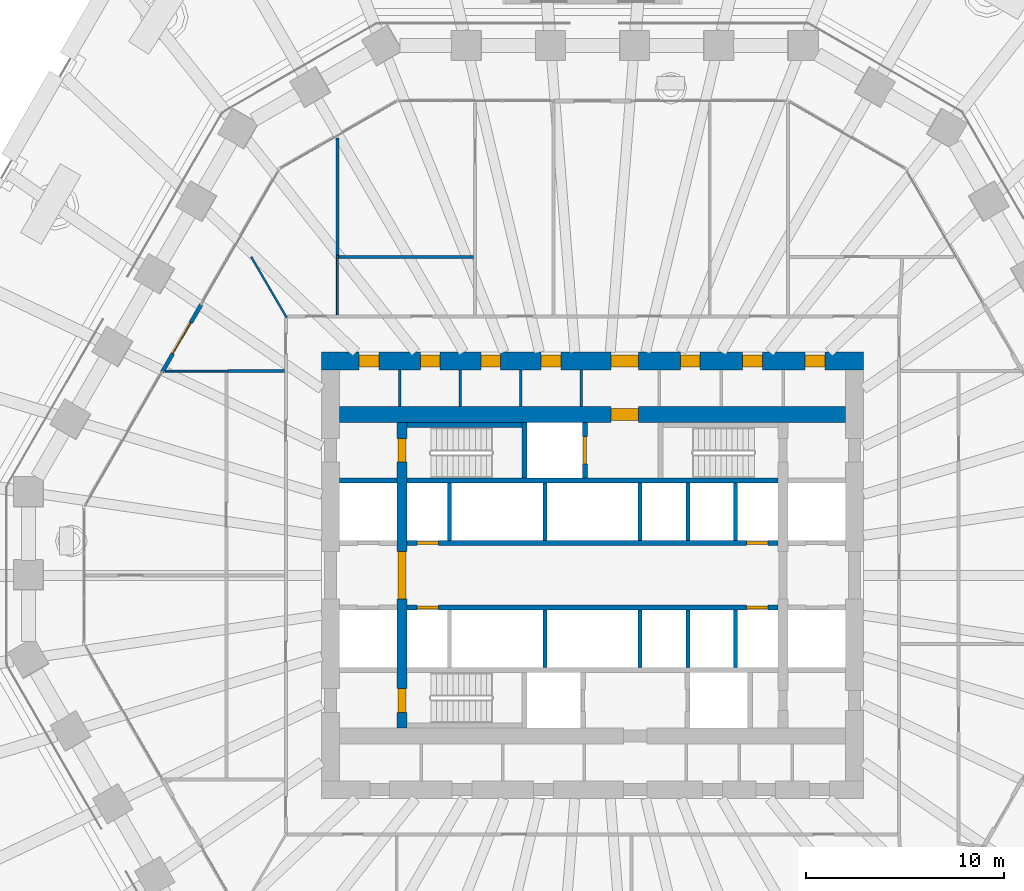
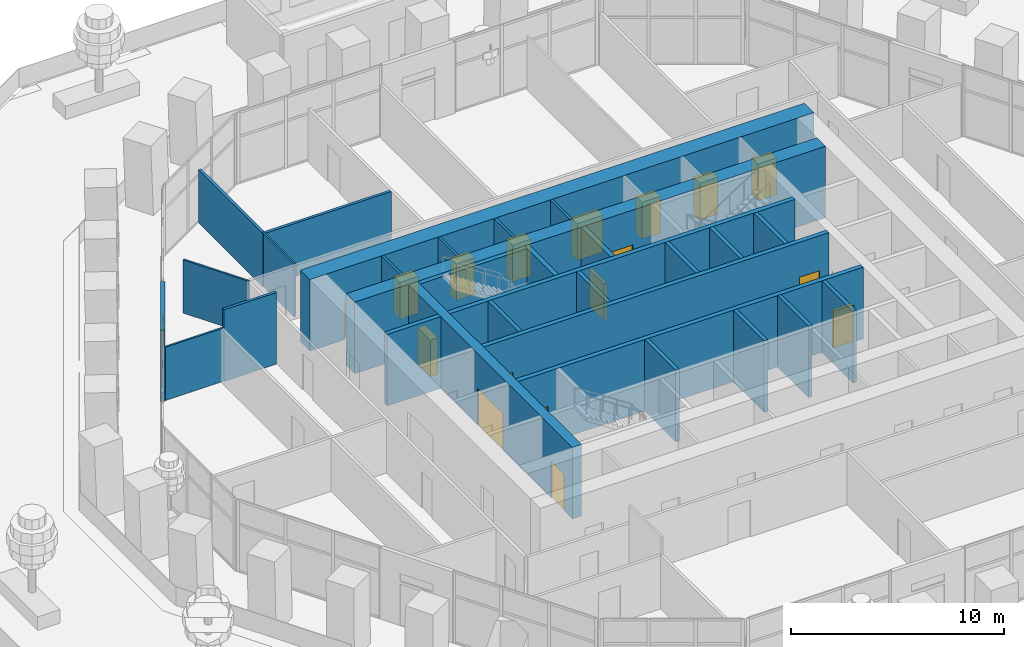
# One storey, part 24 of 32: 30 walls, 18 doors, 1 window, 19 openings.
"""IFC4 building model written with IfcOpenShell, lengths in metres."""

import ifcopenshell
import ifcopenshell.guid

model = None  # the IFC model being written
_history = None  # IfcOwnerHistory: only IFC2X3 demands one
_inside = {}  # id of a spatial element -> (the spatial element, [elements in it])
_under = {}  # id of a project, library or spatial element -> (it, [spatial elements below it])
_declared = {}  # id of a project -> (the project, [libraries it declares])
_typed = {}  # id of a type object -> (the type object, [elements of that type])
_made_of = {}  # id of a material, layer set ... -> (it, [elements and type objects made of it])


def new_model(schema):
    """Start an empty IFC model of exactly this schema.

    Asked for "IFC4X3", IfcOpenShell would pick the latest addendum, in which some entities
    have other attributes; the version numbers below select the first issue.
    IFC2X3 requires an IfcOwnerHistory on every rooted entity: one is made here for all.
    """
    global model, _history
    if schema == "IFC4X3":
        model = ifcopenshell.file(schema_version=(4, 3, 0, 0))
    else:
        model = ifcopenshell.file(schema=schema)
    _inside.clear()
    _under.clear()
    _declared.clear()
    _typed.clear()
    _made_of.clear()
    _history = None
    if model.schema == "IFC2X3":
        org = make("IfcOrganization", Name="unknown")
        user = make(
            "IfcPersonAndOrganization",
            ThePerson=make("IfcPerson", FamilyName="unknown"),
            TheOrganization=org,
        )
        app = make(
            "IfcApplication",
            ApplicationDeveloper=org,
            Version="unknown",
            ApplicationFullName="unknown",
            ApplicationIdentifier="unknown",
        )
        _history = make(
            "IfcOwnerHistory",
            OwningUser=user,
            OwningApplication=app,
            ChangeAction="ADDED",
            CreationDate=0,
        )
    return model


def make(cls, **values):
    """One entity of the class cls with the attributes given. An attribute that is None is left unset."""
    return model.create_entity(
        cls, **{name: value for name, value in values.items() if value is not None}
    )


def rooted(cls, **values):
    """An entity with a GlobalId (a new one), such as an element, a storey or a relation."""
    return make(cls, GlobalId=ifcopenshell.guid.new(), OwnerHistory=_history, **values)


def si_unit(unit_type, name, prefix=None):
    """IfcSIUnit, for example si_unit("LENGTHUNIT", "METRE", prefix="MILLI")."""
    return make("IfcSIUnit", UnitType=unit_type, Prefix=prefix, Name=name)


def assignment(units):
    """IfcUnitAssignment: the units of a project."""
    return None if units is None else make("IfcUnitAssignment", Units=units)


def point(xyz):
    """IfcCartesianPoint."""
    return None if xyz is None else make("IfcCartesianPoint", Coordinates=xyz)


def direction(xyz):
    """IfcDirection."""
    return None if xyz is None else make("IfcDirection", DirectionRatios=xyz)


def frame(location, z_axis=None, x_axis=None):
    """IfcAxis2Placement3D, a coordinate frame: its origin and axes. An axis left out is left unset."""
    return make(
        "IfcAxis2Placement3D",
        Location=point(location),
        Axis=direction(z_axis),
        RefDirection=direction(x_axis),
    )


def frame_2d(location, x_axis=None):
    """IfcAxis2Placement2D, a coordinate frame in the plane: its origin and x axis."""
    return make(
        "IfcAxis2Placement2D", Location=point(location), RefDirection=direction(x_axis)
    )


def origin():
    """The frame at (0, 0, 0) with its axes left unset."""
    return frame((0.0, 0.0, 0.0))


def place(relative_to, where):
    """IfcLocalPlacement: puts the frame where relative to a parent placement (None: the world)."""
    return make(
        "IfcLocalPlacement", PlacementRelTo=relative_to, RelativePlacement=where
    )


def context(
    kind, dimensions, precision=None, world=None, true_north=None, identifier=None
):
    """IfcGeometricRepresentationContext, for example the 3D "Model" context."""
    return make(
        "IfcGeometricRepresentationContext",
        ContextIdentifier=identifier,
        ContextType=kind,
        CoordinateSpaceDimension=dimensions,
        Precision=precision,
        WorldCoordinateSystem=world,
        TrueNorth=true_north,
    )


def subcontext(parent, identifier, kind, view, scale=None):
    """IfcGeometricRepresentationSubContext, for example "Body" below "Model"."""
    return make(
        "IfcGeometricRepresentationSubContext",
        ContextIdentifier=identifier,
        ContextType=kind,
        ParentContext=parent,
        TargetScale=scale,
        TargetView=view,
    )


def project(units=None, contexts=None):
    """IfcProject with its units and contexts."""
    return rooted(
        "IfcProject",
        Name="project",
        RepresentationContexts=contexts,
        UnitsInContext=assignment(units),
    )


def spatial(cls, under=None, at=None, **own):
    """A site, building, storey or space (cls), placed at a placement, below another one or the project."""
    s = rooted(cls, ObjectPlacement=at, **own)
    if under is not None:
        _under.setdefault(under.id(), (under, []))[1].append(s)
    return s


def profile(cls, at=None, kind="AREA", **sizes):
    """A parametric profile (cls). Its sizes go by their IFC names, for example OverallWidth=200.0."""
    return make(cls, ProfileType=kind, Position=at, **sizes)


def rectangle(**sizes):
    """IfcRectangleProfileDef."""
    return profile("IfcRectangleProfileDef", **sizes)


def extrude(swept, where, along, depth):
    """IfcExtrudedAreaSolid: the profile swept, set in the frame where, extruded along a direction by depth."""
    return make(
        "IfcExtrudedAreaSolid",
        SweptArea=swept,
        Position=where,
        ExtrudedDirection=direction(along),
        Depth=depth,
    )


def shape(context_of_items, identifier, shape_type, items):
    """IfcShapeRepresentation: the items that make up one representation, for example the "Body"."""
    return make(
        "IfcShapeRepresentation",
        ContextOfItems=context_of_items,
        RepresentationIdentifier=identifier,
        RepresentationType=shape_type,
        Items=items,
    )


def material(Name=None, Category=None):
    """IfcMaterial."""
    return make("IfcMaterial", Name=Name, Category=Category)


def layer(
    of_material, thickness, ventilated=None, Name=None, Category=None, Priority=None
):
    """IfcMaterialLayer: one layer of a wall or slab, of a material (None: an air gap)."""
    return make(
        "IfcMaterialLayer",
        Material=of_material,
        LayerThickness=thickness,
        IsVentilated=ventilated,
        Name=Name,
        Category=Category,
        Priority=Priority,
    )


def layer_set(layers, Name=None):
    """IfcMaterialLayerSet."""
    return make("IfcMaterialLayerSet", MaterialLayers=layers, LayerSetName=Name)


def made_of(thing, what):
    """Note that an element or type object is made of a material, layer set ...; save() writes the relation."""
    if what is not None:
        _made_of.setdefault(what.id(), (what, []))[1].append(thing)
    return thing


def type_object(cls, material=None, **own):
    """A type object (cls), such as IfcWallType, which elements share."""
    return made_of(rooted(cls, **own), material)


def element(
    cls,
    number,
    at=None,
    inside=None,
    cuts=None,
    type_object=None,
    material=None,
    context=None,
    identifier="Body",
    shape_type=None,
    held_by="IfcProductDefinitionShape",
    body=None,
    shapes=None,
    **own,
):
    """One element of the class cls, such as IfcWall. Its Tag is "e" and its number.

    at: its placement. inside: the storey or other place that contains it. cuts: it is an
    opening in that element (IfcRelVoidsElement). A single representation is given by context,
    identifier, shape_type and body (its items); several are given by shapes. held_by: the class
    of the entity that holds the representations. save() writes the other relations.
    """
    e = rooted(cls, Tag="e%d" % number, ObjectPlacement=at, **own)
    if body is not None:
        shapes = [shape(context, identifier, shape_type, body)]
    if shapes is not None:
        e.Representation = make(held_by, Representations=shapes)
    if inside is not None:
        _inside.setdefault(inside.id(), (inside, []))[1].append(e)
    if cuts is not None:
        rooted(
            "IfcRelVoidsElement", RelatingBuildingElement=cuts, RelatedOpeningElement=e
        )
    if type_object is not None:
        _typed.setdefault(type_object.id(), (type_object, []))[1].append(e)
    return made_of(e, material)


def fill(opening, filler):
    """IfcRelFillsElement: the door or window that sits in an opening."""
    return rooted(
        "IfcRelFillsElement",
        RelatingOpeningElement=opening,
        RelatedBuildingElement=filler,
    )


def aggregate(whole, parts):
    """IfcRelAggregates: a whole, such as a stair, and the parts it consists of."""
    return rooted("IfcRelAggregates", RelatingObject=whole, RelatedObjects=parts)


def save(model, path):
    """Write the relations noted so far, then the file.

    IfcRelAggregates (storeys below a building ...), IfcRelContainedInSpatialStructure (elements
    in a storey), IfcRelDefinesByType, IfcRelAssociatesMaterial and IfcRelDeclares: one each for
    every whole, place, type object, material and project.
    """
    for whole, parts in _under.values():
        aggregate(whole, parts)
    for where, things in _inside.values():
        rooted(
            "IfcRelContainedInSpatialStructure",
            RelatedElements=things,
            RelatingStructure=where,
        )
    for kind, things in _typed.values():
        rooted("IfcRelDefinesByType", RelatedObjects=things, RelatingType=kind)
    for what, things in _made_of.values():
        rooted("IfcRelAssociatesMaterial", RelatedObjects=things, RelatingMaterial=what)
    for by, libraries in _declared.values():
        rooted("IfcRelDeclares", RelatingContext=by, RelatedDefinitions=libraries)
    model.write(path)


model = new_model("IFC4")

# Units and contexts
model_context = context("Model", 3, precision=1e-05, world=origin(), true_north=direction((0.0, 1.0)))
body_context = subcontext(model_context, "Body", "Model", "MODEL_VIEW")
ifc_project = project(units=[si_unit("LENGTHUNIT", "METRE"), si_unit("AREAUNIT", "SQUARE_METRE"), si_unit("VOLUMEUNIT", "CUBIC_METRE"), si_unit("PLANEANGLEUNIT", "RADIAN"), si_unit("MASSUNIT", "GRAM", prefix="KILO")], contexts=[model_context])

# Site, building, storey
site_placement = place(None, origin())
site = spatial("IfcSite", under=ifc_project, at=site_placement, CompositionType="ELEMENT")
building_placement = place(site_placement, origin())
building = spatial("IfcBuilding", under=site, at=building_placement, Name="Frailejon Research Tower", CompositionType="ELEMENT")
storey_placement = place(building_placement, frame((0.0, 0.0, 14.60009765625)))
storey = spatial("IfcBuildingStorey", under=building, at=storey_placement, Name="L03", CompositionType="ELEMENT", Elevation=14.60009765625)

# Walls
ifc_material_1 = material(Name="Plasterboard on steel studs", Category="steel")
ifc_layer_1 = layer(ifc_material_1, 0.125)
ifc_layer_set_1 = layer_set([ifc_layer_1], Name="Core partition 125")
wall_type_1 = type_object("IfcWallType", Name="Core partition 125", PredefinedType="PARTITIONING", material=ifc_layer_set_1)
for number, where, z_axis, x_axis, name in (
    (1, (-9.703125, 8.5, 0.0), (0.0, 0.0, 1.0), (0.0, 1.0, 0.0), "Core partition"),
    (2, (-6.65625, 8.5, 0.0), (0.0, 0.0, 1.0), (0.0, 1.0, 0.0), "Core partition"),
    (3, (-3.609375, 8.5, 0.0), (0.0, 0.0, 1.0), (0.0, 1.0, 0.0), "Core partition"),
    (4, (-0.5625, 8.5, 0.0), (0.0, 0.0, 1.0), (0.0, 1.0, 0.0), "Core partition"),
):
    element("IfcWall", number, at=place(storey_placement, frame(where, z_axis=z_axis, x_axis=x_axis)), inside=storey, type_object=wall_type_1, Name=name, PredefinedType="PARTITIONING", context=body_context, shape_type="SweptSolid", body=[
        extrude(rectangle(XDim=1.85009765625, YDim=0.125, at=frame_2d((0.925048828125, 0.0))), origin(), (0.0, 0.0, 1.0), 4.099853515625),
    ])

# Wall, openings, doors
ifc_material_2 = material(Name="Concrete C70/85", Category="concrete")
ifc_layer_2 = layer(ifc_material_2, 0.5)
ifc_layer_set_2 = layer_set([ifc_layer_2], Name="Core shear wall 500 C70/85")
wall_type_2 = type_object("IfcWallType", Name="Core shear wall 500 C70/85", PredefinedType="SHEAR", material=ifc_layer_set_2)
wall_1_placement = place(storey_placement, frame((-9.60009765625, -7.699951171875, 0.0), z_axis=(0.0, 0.0, 1.0), x_axis=(0.0, 1.0, 0.0)))
wall_1 = element("IfcWall", 5, at=wall_1_placement, inside=storey, type_object=wall_type_2, Name="Core shear wall", PredefinedType="SHEAR", context=body_context, shape_type="SweptSolid", body=[
    extrude(rectangle(XDim=15.39990234375, YDim=0.5, at=frame_2d((7.699951171875, 0.0))), origin(), (0.0, 0.0, 1.0), 4.099853515625),
])
opening_1_placement = place(wall_1_placement, frame((6.5, 0.0, 0.0)))
opening_1 = element("IfcOpeningElement", 6, at=opening_1_placement, cuts=wall_1, Name="Opening D2", PredefinedType="OPENING", context=body_context, shape_type="SweptSolid", body=[
    extrude(rectangle(XDim=2.39990234375, YDim=2.10009765625, at=frame_2d((1.199951171875, 1.050048828125))), frame((0.0, 0.260009765625, 0.0), z_axis=(0.0, -1.0, 0.0), x_axis=(1.0, 0.0, 0.0)), (0.0, 0.0, 1.0), 0.52001953125),
])
opening_2_placement = place(wall_1_placement, frame((13.39990234375, 0.0, 0.0)))
opening_2 = element("IfcOpeningElement", 7, at=opening_2_placement, cuts=wall_1, Name="Opening D1", PredefinedType="OPENING", context=body_context, shape_type="SweptSolid", body=[
    extrude(rectangle(XDim=1.199951171875, YDim=2.10009765625, at=frame_2d((0.60009765625, 1.050048828125))), frame((0.0, 0.260009765625, 0.0), z_axis=(0.0, -1.0, 0.0), x_axis=(1.0, 0.0, 0.0)), (0.0, 0.0, 1.0), 0.52001953125),
])
opening_3_placement = place(wall_1_placement, frame((0.800048828125, 0.0, 0.0)))
opening_3 = element("IfcOpeningElement", 8, at=opening_3_placement, cuts=wall_1, Name="Opening D1", PredefinedType="OPENING", context=body_context, shape_type="SweptSolid", body=[
    extrude(rectangle(XDim=1.199951171875, YDim=2.10009765625, at=frame_2d((0.60009765625, 1.050048828125))), frame((0.0, 0.260009765625, 0.0), z_axis=(0.0, -1.0, 0.0), x_axis=(1.0, 0.0, 0.0)), (0.0, 0.0, 1.0), 0.52001953125),
])
ifc_material_3 = material(Name="Steel", Category="steel")
door_type_1 = type_object("IfcDoorType", Name="Lobby double door", OperationType="DOUBLE_DOOR_SINGLE_SWING", PredefinedType="DOOR", material=ifc_material_3)
door_1_placement = place(opening_1_placement, origin())
door_1 = element("IfcDoor", 9, at=door_1_placement, inside=storey, type_object=door_type_1, Name="Lobby door", OperationType="DOUBLE_DOOR_SINGLE_SWING", OverallHeight=2.10009765625, OverallWidth=2.39990234375, PredefinedType="DOOR", context=body_context, shape_type="SweptSolid", body=[
    extrude(rectangle(XDim=2.39990234375, YDim=2.10009765625, at=frame_2d((1.199951171875, 1.050048828125))), frame((0.0, 0.199951171875, 0.0), z_axis=(0.0, -1.0, 0.0), x_axis=(1.0, 0.0, 0.0)), (0.0, 0.0, 1.0), 0.39990234375),
])
fill(opening_1, door_1)
ifc_material_4 = material(Name="Steel", Category="steel")
door_type_2 = type_object("IfcDoorType", Name="Stair door", OperationType="SINGLE_SWING_LEFT", PredefinedType="DOOR", material=ifc_material_4)
door_2_placement = place(opening_2_placement, origin())
door_2 = element("IfcDoor", 10, at=door_2_placement, inside=storey, type_object=door_type_2, Name="Stair door ST1", OperationType="SINGLE_SWING_LEFT", OverallHeight=2.10009765625, OverallWidth=1.199951171875, PredefinedType="DOOR", context=body_context, shape_type="SweptSolid", body=[
    extrude(rectangle(XDim=1.199951171875, YDim=2.10009765625, at=frame_2d((0.60009765625, 1.050048828125))), frame((0.0, 0.199951171875, 0.0), z_axis=(0.0, -1.0, 0.0), x_axis=(1.0, 0.0, 0.0)), (0.0, 0.0, 1.0), 0.39990234375),
])
fill(opening_2, door_2)
door_3_placement = place(opening_3_placement, origin())
door_3 = element("IfcDoor", 11, at=door_3_placement, inside=storey, type_object=door_type_2, Name="Stair door ST2", OperationType="SINGLE_SWING_LEFT", OverallHeight=2.10009765625, OverallWidth=1.199951171875, PredefinedType="DOOR", context=body_context, shape_type="SweptSolid", body=[
    extrude(rectangle(XDim=1.199951171875, YDim=2.10009765625, at=frame_2d((0.60009765625, 1.050048828125))), frame((0.0, 0.199951171875, 0.0), z_axis=(0.0, -1.0, 0.0), x_axis=(1.0, 0.0, 0.0)), (0.0, 0.0, 1.0), 0.39990234375),
])
fill(opening_3, door_3)

# Wall, opening, door
ifc_material_5 = material(Name="Concrete C70/85", Category="concrete")
ifc_layer_3 = layer(ifc_material_5, 0.800048828125)
ifc_layer_set_3 = layer_set([ifc_layer_3], Name="Core shear wall 800 C70/85")
wall_type_3 = type_object("IfcWallType", Name="Core shear wall 800 C70/85", PredefinedType="SHEAR", material=ifc_layer_set_3)
wall_2_placement = place(storey_placement, frame((-12.75, 8.10009765625, 0.0), z_axis=(0.0, 0.0, 1.0), x_axis=(1.0, 0.0, 0.0)))
wall_2 = element("IfcWall", 12, at=wall_2_placement, inside=storey, type_object=wall_type_3, Name="Core shear wall", PredefinedType="SHEAR", context=body_context, shape_type="SweptSolid", body=[
    extrude(rectangle(XDim=25.5, YDim=0.800048828125, at=frame_2d((12.75, 0.0))), origin(), (0.0, 0.0, 1.0), 4.099853515625),
])
opening_4_placement = place(wall_2_placement, frame((13.675048828125, 0.0, 0.0)))
opening_4 = element("IfcOpeningElement", 13, at=opening_4_placement, cuts=wall_2, Name="Opening D9", PredefinedType="OPENING", context=body_context, shape_type="SweptSolid", body=[
    extrude(rectangle(XDim=1.39990234375, YDim=2.10009765625, at=frame_2d((0.699951171875, 1.050048828125))), frame((0.0, 0.409912109375, 0.0), z_axis=(0.0, -1.0, 0.0), x_axis=(1.0, 0.0, 0.0)), (0.0, 0.0, 1.0), 0.820068359375),
])
ifc_material_6 = material(Name="Steel", Category="steel")
door_type_3 = type_object("IfcDoorType", Name="Goods lobby door", OperationType="DOUBLE_DOOR_SINGLE_SWING", PredefinedType="DOOR", material=ifc_material_6)
door_4_placement = place(opening_4_placement, origin())
door_4 = element("IfcDoor", 14, at=door_4_placement, inside=storey, type_object=door_type_3, Name="Goods lobby door", OperationType="DOUBLE_DOOR_SINGLE_SWING", OverallHeight=2.10009765625, OverallWidth=1.39990234375, PredefinedType="DOOR", context=body_context, shape_type="SweptSolid", body=[
    extrude(rectangle(XDim=1.39990234375, YDim=2.10009765625, at=frame_2d((0.699951171875, 1.050048828125))), frame((0.0, 0.300048828125, 0.0), z_axis=(0.0, -1.0, 0.0), x_axis=(1.0, 0.0, 0.0)), (0.0, 0.0, 1.0), 0.60009765625),
])
fill(opening_4, door_4)

# Wall, openings, doors
ifc_material_7 = material(Name="Concrete C70/85", Category="concrete")
ifc_layer_4 = layer(ifc_material_7, 0.89990234375)
ifc_layer_set_4 = layer_set([ifc_layer_4], Name="Core shear wall 900 C70/85")
wall_type_4 = type_object("IfcWallType", Name="Core shear wall 900 C70/85", PredefinedType="SHEAR", material=ifc_layer_set_4)
wall_3_placement = place(storey_placement, frame((-13.64990234375, 10.800048828125, 0.0), z_axis=(0.0, 0.0, 1.0), x_axis=(1.0, 0.0, 0.0)))
wall_3 = element("IfcWall", 15, at=wall_3_placement, inside=storey, type_object=wall_type_4, Name="Core shear wall", PredefinedType="SHEAR", context=body_context, shape_type="SweptSolid", body=[
    extrude(rectangle(XDim=27.2998046875, YDim=0.89990234375, at=frame_2d((13.64990234375, 0.0))), origin(), (0.0, 0.0, 1.0), 4.099853515625),
])
opening_5_placement = place(wall_3_placement, frame((1.89208984375, 0.0, 0.0)))
opening_5 = element("IfcOpeningElement", 16, at=opening_5_placement, cuts=wall_3, Name="Opening D4", PredefinedType="OPENING", context=body_context, shape_type="SweptSolid", body=[
    extrude(rectangle(XDim=1.0, YDim=2.10009765625, at=frame_2d((0.5, 1.050048828125))), frame((0.0, 0.4599609375, 0.0), z_axis=(0.0, -1.0, 0.0), x_axis=(1.0, 0.0, 0.0)), (0.0, 0.0, 1.0), 0.919921875),
])
opening_6_placement = place(wall_3_placement, frame((4.97021484375, 0.0, 0.0)))
opening_6 = element("IfcOpeningElement", 17, at=opening_6_placement, cuts=wall_3, Name="Opening D4", PredefinedType="OPENING", context=body_context, shape_type="SweptSolid", body=[
    extrude(rectangle(XDim=1.0, YDim=2.10009765625, at=frame_2d((0.5, 1.050048828125))), frame((0.0, 0.4599609375, 0.0), z_axis=(0.0, -1.0, 0.0), x_axis=(1.0, 0.0, 0.0)), (0.0, 0.0, 1.0), 0.919921875),
])
opening_7_placement = place(wall_3_placement, frame((8.01708984375, 0.0, 0.0)))
opening_7 = element("IfcOpeningElement", 18, at=opening_7_placement, cuts=wall_3, Name="Opening D4", PredefinedType="OPENING", context=body_context, shape_type="SweptSolid", body=[
    extrude(rectangle(XDim=1.0, YDim=2.10009765625, at=frame_2d((0.5, 1.050048828125))), frame((0.0, 0.4599609375, 0.0), z_axis=(0.0, -1.0, 0.0), x_axis=(1.0, 0.0, 0.0)), (0.0, 0.0, 1.0), 0.919921875),
])
opening_8_placement = place(wall_3_placement, frame((11.064208984375, 0.0, 0.0)))
opening_8 = element("IfcOpeningElement", 19, at=opening_8_placement, cuts=wall_3, Name="Opening D4", PredefinedType="OPENING", context=body_context, shape_type="SweptSolid", body=[
    extrude(rectangle(XDim=1.0, YDim=2.10009765625, at=frame_2d((0.5, 1.050048828125))), frame((0.0, 0.4599609375, 0.0), z_axis=(0.0, -1.0, 0.0), x_axis=(1.0, 0.0, 0.0)), (0.0, 0.0, 1.0), 0.919921875),
])
opening_9_placement = place(wall_3_placement, frame((18.0771484375, 0.0, 0.0)))
opening_9 = element("IfcOpeningElement", 20, at=opening_9_placement, cuts=wall_3, Name="Opening D4", PredefinedType="OPENING", context=body_context, shape_type="SweptSolid", body=[
    extrude(rectangle(XDim=1.0, YDim=2.10009765625, at=frame_2d((0.5, 1.050048828125))), frame((0.0, 0.4599609375, 0.0), z_axis=(0.0, -1.0, 0.0), x_axis=(1.0, 0.0, 0.0)), (0.0, 0.0, 1.0), 0.919921875),
])
opening_10_placement = place(wall_3_placement, frame((21.206298828125, 0.0, 0.0)))
opening_10 = element("IfcOpeningElement", 21, at=opening_10_placement, cuts=wall_3, Name="Opening D4", PredefinedType="OPENING", context=body_context, shape_type="SweptSolid", body=[
    extrude(rectangle(XDim=1.0, YDim=2.10009765625, at=frame_2d((0.5, 1.050048828125))), frame((0.0, 0.4599609375, 0.0), z_axis=(0.0, -1.0, 0.0), x_axis=(1.0, 0.0, 0.0)), (0.0, 0.0, 1.0), 0.919921875),
])
opening_11_placement = place(wall_3_placement, frame((24.36669921875, 0.0, 0.0)))
opening_11 = element("IfcOpeningElement", 22, at=opening_11_placement, cuts=wall_3, Name="Opening D4", PredefinedType="OPENING", context=body_context, shape_type="SweptSolid", body=[
    extrude(rectangle(XDim=1.0, YDim=2.10009765625, at=frame_2d((0.5, 1.050048828125))), frame((0.0, 0.4599609375, 0.0), z_axis=(0.0, -1.0, 0.0), x_axis=(1.0, 0.0, 0.0)), (0.0, 0.0, 1.0), 0.919921875),
])
opening_12_placement = place(wall_3_placement, frame((14.574951171875, 0.0, 0.0)))
opening_12 = element("IfcOpeningElement", 23, at=opening_12_placement, cuts=wall_3, Name="Opening D9", PredefinedType="OPENING", context=body_context, shape_type="SweptSolid", body=[
    extrude(rectangle(XDim=1.39990234375, YDim=2.10009765625, at=frame_2d((0.699951171875, 1.050048828125))), frame((0.0, 0.4599609375, 0.0), z_axis=(0.0, -1.0, 0.0), x_axis=(1.0, 0.0, 0.0)), (0.0, 0.0, 1.0), 0.919921875),
])
door_5_placement = place(opening_12_placement, origin())
door_5 = element("IfcDoor", 24, at=door_5_placement, inside=storey, type_object=door_type_3, Name="Passage door", OperationType="DOUBLE_DOOR_SINGLE_SWING", OverallHeight=2.10009765625, OverallWidth=1.39990234375, PredefinedType="DOOR", context=body_context, shape_type="SweptSolid", body=[
    extrude(rectangle(XDim=1.39990234375, YDim=2.10009765625, at=frame_2d((0.699951171875, 1.050048828125))), frame((0.0, 0.300048828125, 0.0), z_axis=(0.0, -1.0, 0.0), x_axis=(1.0, 0.0, 0.0)), (0.0, 0.0, 1.0), 0.60009765625),
])
fill(opening_12, door_5)
ifc_material_8 = material(Name="Steel", Category="steel")
door_type_4 = type_object("IfcDoorType", Name="Service door", OperationType="SINGLE_SWING_LEFT", PredefinedType="DOOR", material=ifc_material_8)
door_6_placement = place(opening_5_placement, origin())
door_6 = element("IfcDoor", 25, at=door_6_placement, inside=storey, type_object=door_type_4, Name="Room door", OperationType="SINGLE_SWING_LEFT", OverallHeight=2.10009765625, OverallWidth=1.0, PredefinedType="DOOR", context=body_context, shape_type="SweptSolid", body=[
    extrude(rectangle(XDim=1.0, YDim=2.10009765625, at=frame_2d((0.5, 1.050048828125))), frame((0.0, 0.300048828125, 0.0), z_axis=(0.0, -1.0, 0.0), x_axis=(1.0, 0.0, 0.0)), (0.0, 0.0, 1.0), 0.60009765625),
])
fill(opening_5, door_6)
door_7_placement = place(opening_6_placement, origin())
door_7 = element("IfcDoor", 26, at=door_7_placement, inside=storey, type_object=door_type_4, Name="Room door", OperationType="SINGLE_SWING_RIGHT", OverallHeight=2.10009765625, OverallWidth=1.0, PredefinedType="DOOR", context=body_context, shape_type="SweptSolid", body=[
    extrude(rectangle(XDim=1.0, YDim=2.10009765625, at=frame_2d((0.5, 1.050048828125))), frame((0.0, 0.300048828125, 0.0), z_axis=(0.0, -1.0, 0.0), x_axis=(1.0, 0.0, 0.0)), (0.0, 0.0, 1.0), 0.60009765625),
])
fill(opening_6, door_7)
door_8_placement = place(opening_7_placement, origin())
door_8 = element("IfcDoor", 27, at=door_8_placement, inside=storey, type_object=door_type_4, Name="Room door", OperationType="SINGLE_SWING_LEFT", OverallHeight=2.10009765625, OverallWidth=1.0, PredefinedType="DOOR", context=body_context, shape_type="SweptSolid", body=[
    extrude(rectangle(XDim=1.0, YDim=2.10009765625, at=frame_2d((0.5, 1.050048828125))), frame((0.0, 0.300048828125, 0.0), z_axis=(0.0, -1.0, 0.0), x_axis=(1.0, 0.0, 0.0)), (0.0, 0.0, 1.0), 0.60009765625),
])
fill(opening_7, door_8)
door_9_placement = place(opening_8_placement, origin())
door_9 = element("IfcDoor", 28, at=door_9_placement, inside=storey, type_object=door_type_4, Name="Room door", OperationType="SINGLE_SWING_RIGHT", OverallHeight=2.10009765625, OverallWidth=1.0, PredefinedType="DOOR", context=body_context, shape_type="SweptSolid", body=[
    extrude(rectangle(XDim=1.0, YDim=2.10009765625, at=frame_2d((0.5, 1.050048828125))), frame((0.0, 0.300048828125, 0.0), z_axis=(0.0, -1.0, 0.0), x_axis=(1.0, 0.0, 0.0)), (0.0, 0.0, 1.0), 0.60009765625),
])
fill(opening_8, door_9)
door_10_placement = place(opening_9_placement, origin())
door_10 = element("IfcDoor", 29, at=door_10_placement, inside=storey, type_object=door_type_4, Name="Room door", OperationType="SINGLE_SWING_LEFT", OverallHeight=2.10009765625, OverallWidth=1.0, PredefinedType="DOOR", context=body_context, shape_type="SweptSolid", body=[
    extrude(rectangle(XDim=1.0, YDim=2.10009765625, at=frame_2d((0.5, 1.050048828125))), frame((0.0, 0.300048828125, 0.0), z_axis=(0.0, -1.0, 0.0), x_axis=(1.0, 0.0, 0.0)), (0.0, 0.0, 1.0), 0.60009765625),
])
fill(opening_9, door_10)
door_11_placement = place(opening_10_placement, origin())
door_11 = element("IfcDoor", 30, at=door_11_placement, inside=storey, type_object=door_type_4, Name="Room door", OperationType="SINGLE_SWING_RIGHT", OverallHeight=2.10009765625, OverallWidth=1.0, PredefinedType="DOOR", context=body_context, shape_type="SweptSolid", body=[
    extrude(rectangle(XDim=1.0, YDim=2.10009765625, at=frame_2d((0.5, 1.050048828125))), frame((0.0, 0.300048828125, 0.0), z_axis=(0.0, -1.0, 0.0), x_axis=(1.0, 0.0, 0.0)), (0.0, 0.0, 1.0), 0.60009765625),
])
fill(opening_10, door_11)
door_12_placement = place(opening_11_placement, origin())
door_12 = element("IfcDoor", 31, at=door_12_placement, inside=storey, type_object=door_type_4, Name="Room door", OperationType="SINGLE_SWING_LEFT", OverallHeight=2.10009765625, OverallWidth=1.0, PredefinedType="DOOR", context=body_context, shape_type="SweptSolid", body=[
    extrude(rectangle(XDim=1.0, YDim=2.10009765625, at=frame_2d((0.5, 1.050048828125))), frame((0.0, 0.300048828125, 0.0), z_axis=(0.0, -1.0, 0.0), x_axis=(1.0, 0.0, 0.0)), (0.0, 0.0, 1.0), 0.60009765625),
])
fill(opening_11, door_12)

# Walls
ifc_material_9 = material(Name="Gypsum board and masonry partition", Category="masonry")
ifc_layer_5 = layer(ifc_material_9, 0.14990234375)
ifc_layer_set_5 = layer_set([ifc_layer_5], Name="Laboratory partition, blockwork 150")
wall_type_5 = type_object("IfcWallType", Name="Laboratory partition, blockwork 150", PredefinedType="PARTITIONING", material=ifc_layer_set_5)
wall_4_placement = place(storey_placement, frame((-18.375, 10.292724609375, 0.0), z_axis=(0.0, 0.0, 1.0), x_axis=(1.0, 0.0, 0.0)))
element("IfcWall", 32, at=wall_4_placement, inside=storey, type_object=wall_type_5, Name="T:IW:L03:006", PredefinedType="PARTITIONING", context=body_context, shape_type="SweptSolid", body=[
    extrude(rectangle(XDim=2.85009765625, YDim=0.14990234375, at=frame_2d((1.425048828125, 0.0))), origin(), (0.0, 0.0, 1.0), 4.099853515625),
])
wall_5_placement = place(storey_placement, frame((-12.781494140625, 16.050048828125, 0.0), z_axis=(0.0, 0.0, 1.0), x_axis=(1.0, 0.0, 0.0)))
element("IfcWall", 33, at=wall_5_placement, inside=storey, type_object=wall_type_5, Name="T:IW:L03:010", PredefinedType="PARTITIONING", context=body_context, shape_type="SweptSolid", body=[
    extrude(rectangle(XDim=6.792724609375, YDim=0.14990234375, at=frame_2d((3.396484375, 0.0))), origin(), (0.0, 0.0, 1.0), 3.0498046875),
])
wall_6_placement = place(storey_placement, frame((-12.8564453125, 15.97509765625, 0.0), z_axis=(0.0, 0.0, 1.0), x_axis=(0.0, 1.0, 0.0)))
element("IfcWall", 34, at=wall_6_placement, inside=storey, type_object=wall_type_5, Name="T:IW:L03:015", PredefinedType="PARTITIONING", context=body_context, shape_type="SweptSolid", body=[
    extrude(rectangle(XDim=6.06201171875, YDim=0.14990234375, at=frame_2d((3.031005859375, 0.0))), origin(), (0.0, 0.0, 1.0), 3.0498046875),
])
ifc_material_10 = material(Name="Gypsum board and masonry partition", Category="masonry")
ifc_layer_6 = layer(ifc_material_10, 0.10009765625)
ifc_layer_set_6 = layer_set([ifc_layer_6], Name="Partition, gypsum on steel studs 100")
wall_type_6 = type_object("IfcWallType", Name="Partition, gypsum on steel studs 100", PredefinedType="PARTITIONING", material=ifc_layer_set_6)
wall_7_placement = place(storey_placement, frame((-12.8564453125, 13.125, 0.0), z_axis=(0.0, 0.0, 1.0), x_axis=(0.0, 1.0, 0.0)))
element("IfcWall", 35, at=wall_7_placement, inside=storey, type_object=wall_type_6, Name="T:IW:L03:026", PredefinedType="PARTITIONING", context=body_context, shape_type="SweptSolid", body=[
    extrude(rectangle(XDim=3.0, YDim=0.10009765625, at=frame_2d((1.5, 0.0))), origin(), (0.0, 0.0, 1.0), 3.0498046875),
])
wall_8_placement = place(storey_placement, frame((-17.201904296875, 16.050048828125, 0.0), z_axis=(0.0, 0.0, 1.0), x_axis=(0.504272997082, -0.863544292097, 0.0)))
element("IfcWall", 36, at=wall_8_placement, inside=storey, type_object=wall_type_6, Name="T:IW:L03:027", PredefinedType="PARTITIONING", context=body_context, shape_type="SweptSolid", body=[
    extrude(rectangle(XDim=3.54931640625, YDim=0.10009765625, at=frame_2d((1.774658203125, 0.0))), origin(), (0.0, 0.0, 1.0), 3.0498046875),
])
wall_9_placement = place(storey_placement, frame((-21.539306640625, 10.292724609375, 0.0), z_axis=(0.0, 0.0, 1.0), x_axis=(1.0, 0.0, 0.0)))
element("IfcWall", 37, at=wall_9_placement, inside=storey, type_object=wall_type_6, Name="T:IW:L03:028", PredefinedType="PARTITIONING", context=body_context, shape_type="SweptSolid", body=[
    extrude(rectangle(XDim=3.164306640625, YDim=0.10009765625, at=frame_2d((1.58203125, 0.0))), origin(), (0.0, 0.0, 1.0), 3.0498046875),
])
ifc_material_11 = material(Name="Concrete C70/85", Category="concrete")
ifc_layer_7 = layer(ifc_material_11, 0.199951171875)
ifc_layer_set_7 = layer_set([ifc_layer_7], Name="Shaft wall 200 C70/85")
wall_type_7 = type_object("IfcWallType", Name="Shaft wall 200 C70/85", PredefinedType="SOLIDWALL", material=ifc_layer_set_7)
for number, where, z_axis, x_axis, name in (
    (38, (-7.199951171875, 1.75, 0.0), (0.0, 0.0, 1.0), (0.0, 1.0, 0.0), "Shaft wall"),
    (39, (-2.39990234375, 1.75, 0.0), (0.0, 0.0, 1.0), (0.0, 1.0, 0.0), "Shaft wall"),
    (40, (2.39990234375, 1.75, 0.0), (0.0, 0.0, 1.0), (0.0, 1.0, 0.0), "Shaft wall"),
    (41, (4.800048828125, 1.75, 0.0), (0.0, 0.0, 1.0), (0.0, 1.0, 0.0), "Shaft wall"),
    (42, (7.199951171875, 1.75, 0.0), (0.0, 0.0, 1.0), (0.0, 1.0, 0.0), "Shaft wall"),
    (43, (-2.39990234375, -4.64990234375, 0.0), (0.0, 0.0, 1.0), (0.0, 1.0, 0.0), "Shaft wall"),
    (44, (2.39990234375, -4.64990234375, 0.0), (0.0, 0.0, 1.0), (0.0, 1.0, 0.0), "Shaft wall"),
    (45, (4.800048828125, -4.64990234375, 0.0), (0.0, 0.0, 1.0), (0.0, 1.0, 0.0), "Shaft wall"),
    (46, (7.199951171875, -4.64990234375, 0.0), (0.0, 0.0, 1.0), (0.0, 1.0, 0.0), "Shaft wall"),
):
    element("IfcWall", number, at=place(storey_placement, frame(where, z_axis=z_axis, x_axis=x_axis)), inside=storey, type_object=wall_type_7, Name=name, PredefinedType="SOLIDWALL", context=body_context, shape_type="SweptSolid", body=[
        extrude(rectangle(XDim=2.89990234375, YDim=0.199951171875, at=frame_2d((1.449951171875, 0.0))), origin(), (0.0, 0.0, 1.0), 4.099853515625),
    ])

# Wall, openings, doors
ifc_material_12 = material(Name="Concrete C70/85", Category="concrete")
ifc_layer_8 = layer(ifc_material_12, 0.25)
ifc_layer_set_8 = layer_set([ifc_layer_8], Name="Shaft wall 250 C70/85")
wall_type_8 = type_object("IfcWallType", Name="Shaft wall 250 C70/85", PredefinedType="SOLIDWALL", material=ifc_layer_set_8)
wall_10_placement = place(storey_placement, frame((-9.35009765625, 1.625, 0.0), z_axis=(0.0, 0.0, 1.0), x_axis=(1.0, 0.0, 0.0)))
wall_10 = element("IfcWall", 47, at=wall_10_placement, inside=storey, type_object=wall_type_8, Name="Shaft wall", PredefinedType="SOLIDWALL", context=body_context, shape_type="SweptSolid", body=[
    extrude(rectangle(XDim=18.7001953125, YDim=0.25, at=frame_2d((9.35009765625, 0.0))), origin(), (0.0, 0.0, 1.0), 4.099853515625),
])
opening_13_placement = place(wall_10_placement, frame((0.5, 0.0, 0.0)))
opening_13 = element("IfcOpeningElement", 48, at=opening_13_placement, cuts=wall_10, Name="Opening LD", PredefinedType="OPENING", context=body_context, shape_type="SweptSolid", body=[
    extrude(rectangle(XDim=1.10009765625, YDim=2.10009765625, at=frame_2d((0.550048828125, 1.050048828125))), frame((0.0, 0.135009765625, 0.0), z_axis=(0.0, -1.0, 0.0), x_axis=(1.0, 0.0, 0.0)), (0.0, 0.0, 1.0), 0.27001953125),
])
opening_14_placement = place(wall_10_placement, frame((17.10009765625, 0.0, 0.0)))
opening_14 = element("IfcOpeningElement", 49, at=opening_14_placement, cuts=wall_10, Name="Opening LD", PredefinedType="OPENING", context=body_context, shape_type="SweptSolid", body=[
    extrude(rectangle(XDim=1.10009765625, YDim=2.10009765625, at=frame_2d((0.550048828125, 1.050048828125))), frame((0.0, 0.135009765625, 0.0), z_axis=(0.0, -1.0, 0.0), x_axis=(1.0, 0.0, 0.0)), (0.0, 0.0, 1.0), 0.27001953125),
])
ifc_material_13 = material(Name="Steel", Category="steel")
door_type_5 = type_object("IfcDoorType", Name="Lift landing door", OperationType="DOUBLE_DOOR_SLIDING", PredefinedType="DOOR", material=ifc_material_13)
door_13_placement = place(opening_13_placement, origin())
door_13 = element("IfcDoor", 50, at=door_13_placement, inside=storey, type_object=door_type_5, Name="Lift landing door", OperationType="DOUBLE_DOOR_SLIDING", OverallHeight=2.10009765625, OverallWidth=1.10009765625, PredefinedType="DOOR", context=body_context, shape_type="SweptSolid", body=[
    extrude(rectangle(XDim=1.10009765625, YDim=2.10009765625, at=frame_2d((0.550048828125, 1.050048828125))), frame((0.0, 0.074951171875, 0.0), z_axis=(0.0, -1.0, 0.0), x_axis=(1.0, 0.0, 0.0)), (0.0, 0.0, 1.0), 0.14990234375),
])
fill(opening_13, door_13)
door_14_placement = place(opening_14_placement, origin())
door_14 = element("IfcDoor", 51, at=door_14_placement, inside=storey, type_object=door_type_5, Name="Lift landing door", OperationType="DOUBLE_DOOR_SLIDING", OverallHeight=2.10009765625, OverallWidth=1.10009765625, PredefinedType="DOOR", context=body_context, shape_type="SweptSolid", body=[
    extrude(rectangle(XDim=1.10009765625, YDim=2.10009765625, at=frame_2d((0.550048828125, 1.050048828125))), frame((0.0, 0.074951171875, 0.0), z_axis=(0.0, -1.0, 0.0), x_axis=(1.0, 0.0, 0.0)), (0.0, 0.0, 1.0), 0.14990234375),
])
fill(opening_14, door_14)

# Walls
wall_11_placement = place(storey_placement, frame((-12.75, 4.77490234375, 0.0), z_axis=(0.0, 0.0, 1.0), x_axis=(1.0, 0.0, 0.0)))
element("IfcWall", 52, at=wall_11_placement, inside=storey, type_object=wall_type_8, Name="Shaft wall", PredefinedType="SOLIDWALL", context=body_context, shape_type="SweptSolid", body=[
    extrude(rectangle(XDim=2.89990234375, YDim=0.25, at=frame_2d((1.449951171875, 0.0))), origin(), (0.0, 0.0, 1.0), 4.099853515625),
])
wall_12_placement = place(storey_placement, frame((-9.35009765625, 4.77490234375, 0.0), z_axis=(0.0, 0.0, 1.0), x_axis=(1.0, 0.0, 0.0)))
element("IfcWall", 53, at=wall_12_placement, inside=storey, type_object=wall_type_8, Name="Shaft wall", PredefinedType="SOLIDWALL", context=body_context, shape_type="SweptSolid", body=[
    extrude(rectangle(XDim=18.7001953125, YDim=0.25, at=frame_2d((9.35009765625, 0.0))), origin(), (0.0, 0.0, 1.0), 4.099853515625),
])

# Wall, openings, doors
wall_13_placement = place(storey_placement, frame((-9.35009765625, -1.625, 0.0), z_axis=(0.0, 0.0, 1.0), x_axis=(1.0, 0.0, 0.0)))
wall_13 = element("IfcWall", 54, at=wall_13_placement, inside=storey, type_object=wall_type_8, Name="Shaft wall", PredefinedType="SOLIDWALL", context=body_context, shape_type="SweptSolid", body=[
    extrude(rectangle(XDim=18.7001953125, YDim=0.25, at=frame_2d((9.35009765625, 0.0))), origin(), (0.0, 0.0, 1.0), 4.099853515625),
])
opening_15_placement = place(wall_13_placement, frame((0.5, 0.0, 0.0)))
opening_15 = element("IfcOpeningElement", 55, at=opening_15_placement, cuts=wall_13, Name="Opening LD", PredefinedType="OPENING", context=body_context, shape_type="SweptSolid", body=[
    extrude(rectangle(XDim=1.10009765625, YDim=2.10009765625, at=frame_2d((0.550048828125, 1.050048828125))), frame((0.0, 0.135009765625, 0.0), z_axis=(0.0, -1.0, 0.0), x_axis=(1.0, 0.0, 0.0)), (0.0, 0.0, 1.0), 0.27001953125),
])
opening_16_placement = place(wall_13_placement, frame((17.10009765625, 0.0, 0.0)))
opening_16 = element("IfcOpeningElement", 56, at=opening_16_placement, cuts=wall_13, Name="Opening LD", PredefinedType="OPENING", context=body_context, shape_type="SweptSolid", body=[
    extrude(rectangle(XDim=1.10009765625, YDim=2.10009765625, at=frame_2d((0.550048828125, 1.050048828125))), frame((0.0, 0.135009765625, 0.0), z_axis=(0.0, -1.0, 0.0), x_axis=(1.0, 0.0, 0.0)), (0.0, 0.0, 1.0), 0.27001953125),
])
door_15_placement = place(opening_15_placement, origin())
door_15 = element("IfcDoor", 57, at=door_15_placement, inside=storey, type_object=door_type_5, Name="Lift landing door", OperationType="DOUBLE_DOOR_SLIDING", OverallHeight=2.10009765625, OverallWidth=1.10009765625, PredefinedType="DOOR", context=body_context, shape_type="SweptSolid", body=[
    extrude(rectangle(XDim=1.10009765625, YDim=2.10009765625, at=frame_2d((0.550048828125, 1.050048828125))), frame((0.0, 0.074951171875, 0.0), z_axis=(0.0, -1.0, 0.0), x_axis=(1.0, 0.0, 0.0)), (0.0, 0.0, 1.0), 0.14990234375),
])
fill(opening_15, door_15)
door_16_placement = place(opening_16_placement, origin())
door_16 = element("IfcDoor", 58, at=door_16_placement, inside=storey, type_object=door_type_5, Name="Lift landing door", OperationType="DOUBLE_DOOR_SLIDING", OverallHeight=2.10009765625, OverallWidth=1.10009765625, PredefinedType="DOOR", context=body_context, shape_type="SweptSolid", body=[
    extrude(rectangle(XDim=1.10009765625, YDim=2.10009765625, at=frame_2d((0.550048828125, 1.050048828125))), frame((0.0, 0.074951171875, 0.0), z_axis=(0.0, -1.0, 0.0), x_axis=(1.0, 0.0, 0.0)), (0.0, 0.0, 1.0), 0.14990234375),
])
fill(opening_16, door_16)

# Walls
wall_14_placement = place(storey_placement, frame((-9.35009765625, 7.574951171875, 0.0), z_axis=(0.0, 0.0, 1.0), x_axis=(1.0, 0.0, 0.0)))
element("IfcWall", 59, at=wall_14_placement, inside=storey, type_object=wall_type_8, Name="Shaft wall", PredefinedType="SOLIDWALL", context=body_context, shape_type="SweptSolid", body=[
    extrude(rectangle(XDim=5.800048828125, YDim=0.25, at=frame_2d((2.89990234375, 0.0))), origin(), (0.0, 0.0, 1.0), 4.099853515625),
])
wall_15_placement = place(storey_placement, frame((-3.425048828125, 4.89990234375, 0.0), z_axis=(0.0, 0.0, 1.0), x_axis=(0.0, 1.0, 0.0)))
element("IfcWall", 60, at=wall_15_placement, inside=storey, type_object=wall_type_8, Name="Shaft wall", PredefinedType="SOLIDWALL", context=body_context, shape_type="SweptSolid", body=[
    extrude(rectangle(XDim=2.800048828125, YDim=0.25, at=frame_2d((1.39990234375, 0.0))), origin(), (0.0, 0.0, 1.0), 4.099853515625),
])

# Wall, opening, door
wall_16_placement = place(storey_placement, frame((-0.375, 4.89990234375, 0.0), z_axis=(0.0, 0.0, 1.0), x_axis=(0.0, 1.0, 0.0)))
wall_16 = element("IfcWall", 61, at=wall_16_placement, inside=storey, type_object=wall_type_8, Name="Shaft wall", PredefinedType="SOLIDWALL", context=body_context, shape_type="SweptSolid", body=[
    extrude(rectangle(XDim=2.800048828125, YDim=0.25, at=frame_2d((1.39990234375, 0.0))), origin(), (0.0, 0.0, 1.0), 4.099853515625),
])
opening_17_placement = place(wall_16_placement, frame((0.699951171875, 0.0, 0.0)))
opening_17 = element("IfcOpeningElement", 62, at=opening_17_placement, cuts=wall_16, Name="Opening LD2", PredefinedType="OPENING", context=body_context, shape_type="SweptSolid", body=[
    extrude(rectangle(XDim=1.39990234375, YDim=2.10009765625, at=frame_2d((0.699951171875, 1.050048828125))), frame((0.0, 0.135009765625, 0.0), z_axis=(0.0, -1.0, 0.0), x_axis=(1.0, 0.0, 0.0)), (0.0, 0.0, 1.0), 0.27001953125),
])
ifc_material_14 = material(Name="Stainless steel", Category="steel")
door_type_6 = type_object("IfcDoorType", Name="Goods landing door", OperationType="DOUBLE_DOOR_SLIDING", PredefinedType="DOOR", material=ifc_material_14)
door_17_placement = place(opening_17_placement, origin())
door_17 = element("IfcDoor", 63, at=door_17_placement, inside=storey, type_object=door_type_6, Name="Lift landing door", OperationType="DOUBLE_DOOR_SLIDING", OverallHeight=2.10009765625, OverallWidth=1.39990234375, PredefinedType="DOOR", context=body_context, shape_type="SweptSolid", body=[
    extrude(rectangle(XDim=1.39990234375, YDim=2.10009765625, at=frame_2d((0.699951171875, 1.050048828125))), frame((0.0, 0.074951171875, 0.0), z_axis=(0.0, -1.0, 0.0), x_axis=(1.0, 0.0, 0.0)), (0.0, 0.0, 1.0), 0.14990234375),
])
fill(opening_17, door_17)

# Wall, openings, door, window
ifc_material_15 = material(Name="Concrete C40/50 precast window wall panel", Category="concrete")
ifc_layer_9 = layer(ifc_material_15, 0.199951171875)
ifc_layer_set_9 = layer_set([ifc_layer_9], Name="Window wall 200")
wall_type_9 = type_object("IfcWallType", Name="Window wall 200", PredefinedType="SOLIDWALL", material=ifc_layer_set_9)
wall_17_placement = place(storey_placement, frame((-19.715087890625, 13.652587890625, 0.0), z_axis=(0.0, 0.0, 1.0), x_axis=(-0.499985832843, -0.866033583042, 0.0)))
wall_17 = element("IfcWall", 64, at=wall_17_placement, inside=storey, type_object=wall_type_9, Name="Door pier L03", PredefinedType="SOLIDWALL", context=body_context, shape_type="SweptSolid", body=[
    extrude(rectangle(XDim=3.931640625, YDim=0.199951171875, at=frame_2d((1.9658203125, 0.0))), origin(), (0.0, 0.0, 1.0), 4.099853515625),
])
opening_18_placement = place(wall_17_placement, frame((1.06591796875, 0.0, 0.0)))
opening_18 = element("IfcOpeningElement", 65, at=opening_18_placement, cuts=wall_17, Name="Opening LG03-3", PredefinedType="OPENING", context=body_context, shape_type="SweptSolid", body=[
    extrude(rectangle(XDim=1.800048828125, YDim=2.39990234375, at=frame_2d((0.89990234375, 1.199951171875))), frame((0.0, 0.10986328125, 0.0), z_axis=(0.0, -1.0, 0.0), x_axis=(1.0, 0.0, 0.0)), (0.0, 0.0, 1.0), 0.219970703125),
])
opening_19_placement = place(wall_17_placement, frame((1.06591796875, 0.0, 2.550048828125)))
opening_19 = element("IfcOpeningElement", 66, at=opening_19_placement, cuts=wall_17, Name="Opening W1", PredefinedType="OPENING", context=body_context, shape_type="SweptSolid", body=[
    extrude(rectangle(XDim=1.800048828125, YDim=0.449951171875, at=frame_2d((0.89990234375, 0.22509765625))), frame((0.0, 0.10986328125, 0.0), z_axis=(0.0, -1.0, 0.0), x_axis=(1.0, 0.0, 0.0)), (0.0, 0.0, 1.0), 0.219970703125),
])
ifc_material_16 = material(Name="Aluminium framed glazed door leaf", Category="aluminium")
door_type_7 = type_object("IfcDoorType", Name="Loggia door 1800x2400", OperationType="DOUBLE_DOOR_SINGLE_SWING", PredefinedType="DOOR", material=ifc_material_16)
door_18_placement = place(opening_18_placement, origin())
door_18 = element("IfcDoor", 67, at=door_18_placement, inside=storey, type_object=door_type_7, Name="Door LG03-3", OperationType="DOUBLE_DOOR_SINGLE_SWING", OverallHeight=2.39990234375, OverallWidth=1.800048828125, PredefinedType="DOOR", context=body_context, shape_type="SweptSolid", body=[
    extrude(rectangle(XDim=1.800048828125, YDim=2.39990234375, at=frame_2d((0.89990234375, 1.199951171875))), frame((0.0, 0.02490234375, 0.0), z_axis=(0.0, -1.0, 0.0), x_axis=(1.0, 0.0, 0.0)), (0.0, 0.0, 1.0), 0.050048828125),
])
fill(opening_18, door_18)
ifc_material_17 = material(Name="Aluminium framed double glazing", Category="aluminium")
window_type = type_object("IfcWindowType", Name="Window 1800x450", PartitioningType="SINGLE_PANEL", PredefinedType="WINDOW", material=ifc_material_17)
window_placement = place(opening_19_placement, origin())
window = element("IfcWindow", 68, at=window_placement, inside=storey, type_object=window_type, Name="Window L03", OverallHeight=0.449951171875, OverallWidth=1.800048828125, PartitioningType="SINGLE_PANEL", PredefinedType="WINDOW", context=body_context, shape_type="SweptSolid", body=[
    extrude(rectangle(XDim=1.800048828125, YDim=0.449951171875, at=frame_2d((0.89990234375, 0.22509765625))), frame((0.0, 0.030029296875, 0.0), z_axis=(0.0, -1.0, 0.0), x_axis=(1.0, 0.0, 0.0)), (0.0, 0.0, 1.0), 0.06005859375),
])
fill(opening_19, window)

save(model, "model.ifc")
